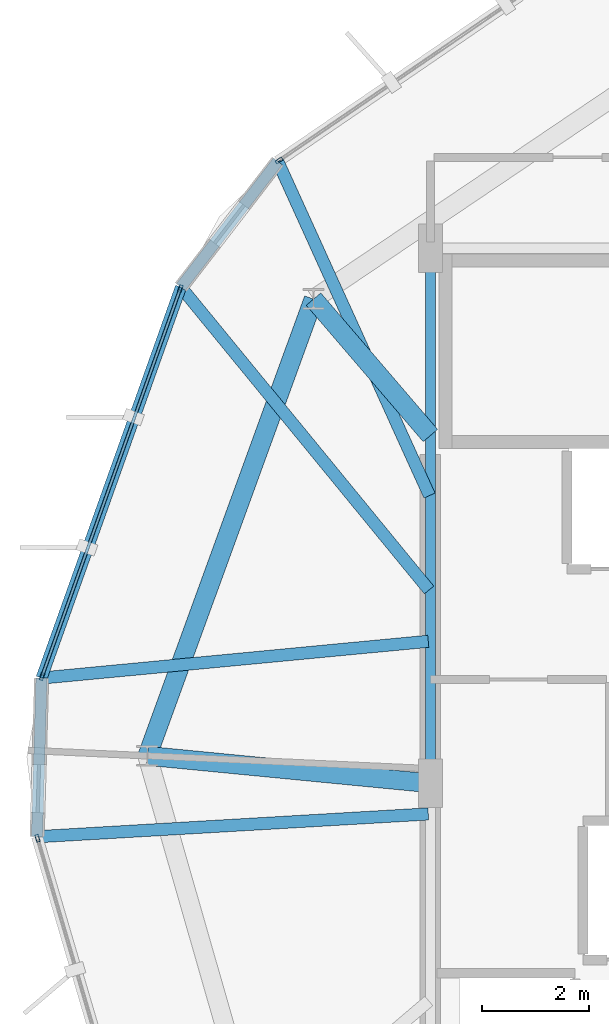
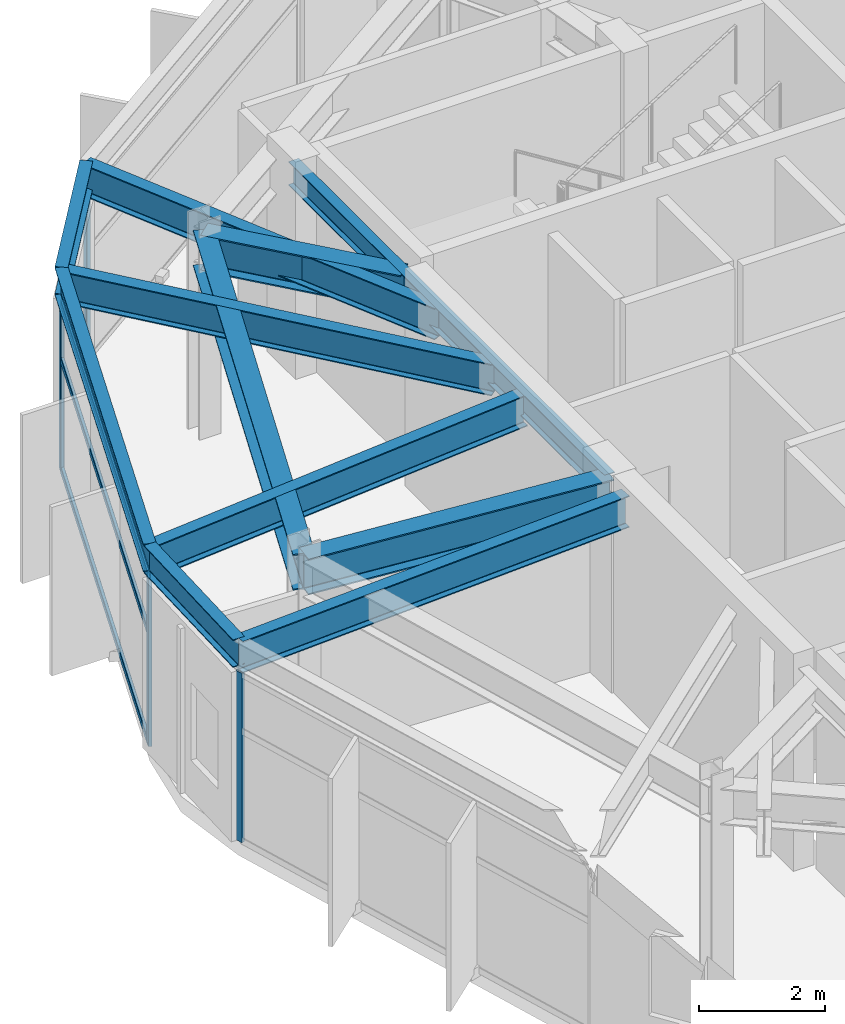
# One storey, part 9 of 20: 11 beams, 7 members, 3 elements without a shape of their own.
"""IFC4 building model written with IfcOpenShell, lengths in metres."""

from ifc_helpers import new_model, si_unit, direction, frame, origin, origin_2d, place, context, subcontext, project, spatial, hollow_rectangle, i_section, extrude, material, layer, layer_set, material_profile, profile_set, type_object, element, aggregate, save


model = new_model("IFC4")

# Units and contexts
model_context = context("Model", 3, precision=1e-05, world=origin(), true_north=direction((0.0, 1.0)))
body_context = subcontext(model_context, "Body", "Model", "MODEL_VIEW")
ifc_project = project(units=[si_unit("LENGTHUNIT", "METRE"), si_unit("AREAUNIT", "SQUARE_METRE"), si_unit("VOLUMEUNIT", "CUBIC_METRE"), si_unit("PLANEANGLEUNIT", "RADIAN"), si_unit("MASSUNIT", "GRAM", prefix="KILO")], contexts=[model_context])

# Site, building, storey
site_placement = place(None, origin())
site = spatial("IfcSite", under=ifc_project, at=site_placement, CompositionType="ELEMENT")
building_placement = place(site_placement, origin())
building = spatial("IfcBuilding", under=site, at=building_placement, Name="Soratama Intermodal Tower", CompositionType="ELEMENT")
storey_placement = place(building_placement, frame((0.0, 0.0, 293.050048828125)))
storey = spatial("IfcBuildingStorey", under=building, at=storey_placement, Name="L74", CompositionType="ELEMENT", Elevation=293.050048828125)

# Beams
ifc_material_1 = material(Name="Structural steel ASTM A992 Grade 50", Category="steel")
ifc_material_profile_1 = material_profile(ifc_material_1, i_section(OverallWidth=0.19091796875, OverallDepth=0.4599609375, WebThickness=0.010009765625, FlangeThickness=0.01611328125, FilletRadius=0.010986328125, at=origin_2d()), Name="W18X55")
ifc_profile_set_1 = profile_set([ifc_material_profile_1], Name="Structural steel ASTM A992 Grade 50")
beam_type_1 = type_object("IfcBeamType", Name="BM-FLR-W18X55", PredefinedType="BEAM", material=ifc_profile_set_1)
beam_1_placement = place(storey_placement, frame((32.60009765625, 35.0, 3.6650390625), z_axis=(0.0, -1.0, 0.0), x_axis=(1.0, 0.0, 0.0)))
element("IfcBeam", 1, at=beam_1_placement, inside=storey, type_object=beam_type_1, Name="BM-L74-CRING-08", PredefinedType="BEAM", context=body_context, shape_type="SweptSolid", body=[
    extrude(i_section(OverallWidth=0.19091796875, OverallDepth=0.4599609375, WebThickness=0.010009765625, FlangeThickness=0.01611328125, FilletRadius=0.010986328125, at=origin_2d()), origin(), (0.0, 0.0, 1.0), 10.0),
])
ifc_material_2 = material(Name="Structural steel ASTM A992 Grade 50", Category="steel")
ifc_material_profile_2 = material_profile(ifc_material_2, i_section(OverallWidth=0.35498046875, OverallDepth=0.695068359375, WebThickness=0.015380859375, FlangeThickness=0.02490234375, FilletRadius=0.01611328125, at=origin_2d()), Name="W27X146")
ifc_profile_set_2 = profile_set([ifc_material_profile_2], Name="Structural steel ASTM A992 Grade 50")
beam_type_2 = type_object("IfcBeamType", Name="BM-RING-W27X146", PredefinedType="BEAM", material=ifc_profile_set_2)
beam_2_placement = place(storey_placement, frame((30.416015625, 34.050048828125, 3.54736328125), z_axis=(-0.341989029925, -0.939703944555, 0.0), x_axis=(0.939703944555, -0.341989029925, 0.0)))
element("IfcBeam", 2, at=beam_2_placement, inside=storey, type_object=beam_type_2, Name="BM-L74-RING-04", PredefinedType="BEAM", context=body_context, shape_type="SweptSolid", body=[
    extrude(i_section(OverallWidth=0.35498046875, OverallDepth=0.695068359375, WebThickness=0.015380859375, FlangeThickness=0.02490234375, FilletRadius=0.01611328125, at=origin_2d()), origin(), (0.0, 0.0, 1.0), 9.0849609375),
])
beam_3_placement = place(storey_placement, frame((32.60009765625, 31.5, 3.54736328125), z_axis=(-0.650503890691, 0.759502921782, 0.0), x_axis=(-0.759502921782, -0.650503890691, 0.0)))
element("IfcBeam", 3, at=beam_3_placement, inside=storey, type_object=beam_type_2, Name="BM-L74-RAD-04", PredefinedType="BEAM", context=body_context, shape_type="SweptSolid", body=[
    extrude(i_section(OverallWidth=0.35498046875, OverallDepth=0.695068359375, WebThickness=0.015380859375, FlangeThickness=0.02490234375, FilletRadius=0.01611328125, at=origin_2d()), origin(), (0.0, 0.0, 1.0), 3.357421875),
])
beam_4_placement = place(storey_placement, frame((32.60009765625, 25.0, 3.54736328125), z_axis=(-0.995333664321, 0.096492987668, 0.0), x_axis=(-0.096492987668, -0.995333664321, 0.0)))
element("IfcBeam", 4, at=beam_4_placement, inside=storey, type_object=beam_type_2, Name="BM-L74-RAD-05", PredefinedType="BEAM", context=body_context, shape_type="SweptSolid", body=[
    extrude(i_section(OverallWidth=0.35498046875, OverallDepth=0.695068359375, WebThickness=0.015380859375, FlangeThickness=0.02490234375, FilletRadius=0.01611328125, at=origin_2d()), origin(), (0.0, 0.0, 1.0), 5.31591796875),
])
ifc_material_3 = material(Name="Structural steel ASTM A992 Grade 50", Category="steel")
ifc_material_profile_3 = material_profile(ifc_material_3, i_section(OverallWidth=0.2099609375, OverallDepth=0.537109375, WebThickness=0.010986328125, FlangeThickness=0.017333984375, FilletRadius=0.012939453125, at=origin_2d()), Name="W21X68")
ifc_profile_set_3 = profile_set([ifc_material_profile_3], Name="Structural steel ASTM A992 Grade 50")
beam_type_3 = type_object("IfcBeamType", Name="BM-SPN-W21X68", PredefinedType="SPANDREL", material=ifc_profile_set_3)
beam_5_placement = place(storey_placement, frame((29.7470703125, 36.6240234375, 3.62646484375), z_axis=(-0.610402470653, -0.792091423903, 0.0), x_axis=(0.792091423903, -0.610402470653, 0.0)))
element("IfcBeam", 5, at=beam_5_placement, inside=storey, type_object=beam_type_3, Name="BS-L74-CRN02", PredefinedType="SPANDREL", context=body_context, shape_type="SweptSolid", body=[
    extrude(i_section(OverallWidth=0.2099609375, OverallDepth=0.537109375, WebThickness=0.010986328125, FlangeThickness=0.017333984375, FilletRadius=0.012939453125, at=origin_2d()), origin(), (0.0, 0.0, 1.0), 2.967041015625),
])
beam_6_placement = place(storey_placement, frame((27.93603515625, 34.27392578125, 3.62646484375), z_axis=(-0.335808010424, -0.94193045398, 0.0), x_axis=(0.94193045398, -0.335808010424, 0.0)))
element("IfcBeam", 6, at=beam_6_placement, inside=storey, type_object=beam_type_3, Name="BS-L74-F03", PredefinedType="SPANDREL", context=body_context, shape_type="SweptSolid", body=[
    extrude(i_section(OverallWidth=0.2099609375, OverallDepth=0.537109375, WebThickness=0.010986328125, FlangeThickness=0.017333984375, FilletRadius=0.012939453125, at=origin_2d()), origin(), (0.0, 0.0, 1.0), 7.75732421875),
])
beam_7_placement = place(storey_placement, frame((25.3310546875, 26.967041015625, 3.62646484375), z_axis=(-0.028303743754, -0.999599368792, 0.0), x_axis=(0.999599368792, -0.028303743754, 0.0)))
element("IfcBeam", 7, at=beam_7_placement, inside=storey, type_object=beam_type_3, Name="BS-L74-CRN03", PredefinedType="SPANDREL", context=body_context, shape_type="SweptSolid", body=[
    extrude(i_section(OverallWidth=0.2099609375, OverallDepth=0.537109375, WebThickness=0.010986328125, FlangeThickness=0.017333984375, FilletRadius=0.012939453125, at=origin_2d()), origin(), (0.0, 0.0, 1.0), 2.96728515625),
])
ifc_material_4 = material(Name="Structural steel ASTM A992 Grade 50", Category="steel")
ifc_material_profile_4 = material_profile(ifc_material_4, i_section(OverallWidth=0.22900390625, OverallDepth=0.612060546875, WebThickness=0.011962890625, FlangeThickness=0.01953125, FilletRadius=0.012939453125, at=origin_2d()), Name="W24X84")
ifc_profile_set_4 = profile_set([ifc_material_profile_4], Name="Structural steel ASTM A992 Grade 50")
beam_type_4 = type_object("IfcBeamType", Name="BM-TIE-W24X84", PredefinedType="BEAM", material=ifc_profile_set_4)
beam_8_placement = place(storey_placement, frame((32.5830078125, 30.3779296875, 3.5888671875), z_axis=(-0.413416776839, 0.91054190932, 0.0), x_axis=(-0.91054190932, -0.413416776839, 0.0)))
element("IfcBeam", 8, at=beam_8_placement, inside=storey, type_object=beam_type_4, Name="BM-L74-TIE1-02", PredefinedType="BEAM", context=body_context, shape_type="SweptSolid", body=[
    extrude(i_section(OverallWidth=0.22900390625, OverallDepth=0.612060546875, WebThickness=0.011962890625, FlangeThickness=0.01953125, FilletRadius=0.012939453125, at=origin_2d()), origin(), (0.0, 0.0, 1.0), 6.85986328125),
])
beam_9_placement = place(storey_placement, frame((32.574951171875, 28.613037109375, 3.5888671875), z_axis=(-0.633833420913, 0.773469582165, 0.0), x_axis=(-0.773469582165, -0.633833420913, 0.0)))
element("IfcBeam", 9, at=beam_9_placement, inside=storey, type_object=beam_type_4, Name="BM-L74-TIE0-03", PredefinedType="BEAM", context=body_context, shape_type="SweptSolid", body=[
    extrude(i_section(OverallWidth=0.22900390625, OverallDepth=0.612060546875, WebThickness=0.011962890625, FlangeThickness=0.01953125, FilletRadius=0.012939453125, at=origin_2d()), origin(), (0.0, 0.0, 1.0), 7.31884765625),
])
beam_10_placement = place(storey_placement, frame((32.56005859375, 27.654052734375, 3.5888671875), z_axis=(-0.995514491766, -0.09460917865, 0.0), x_axis=(0.09460917865, -0.995514491766, 0.0)))
element("IfcBeam", 10, at=beam_10_placement, inside=storey, type_object=beam_type_4, Name="BM-L74-TIE1-03", PredefinedType="BEAM", context=body_context, shape_type="SweptSolid", body=[
    extrude(i_section(OverallWidth=0.22900390625, OverallDepth=0.612060546875, WebThickness=0.011962890625, FlangeThickness=0.01953125, FilletRadius=0.012939453125, at=origin_2d()), origin(), (0.0, 0.0, 1.0), 7.261474609375),
])
beam_11_placement = place(storey_placement, frame((32.56005859375, 24.427001953125, 3.5888671875), z_axis=(-0.998307426593, -0.058157389978, 0.0), x_axis=(0.058157389978, -0.998307426593, 0.0)))
element("IfcBeam", 11, at=beam_11_placement, inside=storey, type_object=beam_type_4, Name="BM-L74-TIE0-04", PredefinedType="BEAM", context=body_context, shape_type="SweptSolid", body=[
    extrude(i_section(OverallWidth=0.22900390625, OverallDepth=0.612060546875, WebThickness=0.011962890625, FlangeThickness=0.01953125, FilletRadius=0.012939453125, at=origin_2d()), origin(), (0.0, 0.0, 1.0), 7.325439453125),
])

# Curtain wall, member
ifc_material_5 = material(Name="Double-glazed aluminium curtain wall", Category="aluminium")
ifc_layer = layer(ifc_material_5, 0.159912109375)
ifc_layer_set = layer_set([ifc_layer], Name="Double-glazed aluminium curtain wall")
curtain_wall_type = type_object("IfcCurtainWallType", Name="CW-SYS-6", PredefinedType="NOTDEFINED", material=ifc_layer_set)
curtain_wall_1_placement = place(storey_placement, origin())
curtain_wall_1 = element("IfcCurtainWall", 12, at=curtain_wall_1_placement, inside=storey, type_object=curtain_wall_type, Name="L74 Faceted Curtain Wall F02", PredefinedType="NOTDEFINED")
ifc_material_6 = material(Name="Anodised aluminium AA 6063-T6", Category="aluminium")
ifc_material_profile_5 = material_profile(ifc_material_6, hollow_rectangle(XDim=0.06494140625, YDim=0.139892578125, WallThickness=0.0048828125, InnerFilletRadius=0.0048828125, OuterFilletRadius=0.010009765625, at=origin_2d()), Name="CWM140X65X5")
ifc_profile_set_5 = profile_set([ifc_material_profile_5], Name="Anodised aluminium AA 6063-T6")
member_type_1 = type_object("IfcMemberType", Name="MT-CWM-6", PredefinedType="MULLION", material=ifc_profile_set_5)
member_1_placement = place(storey_placement, frame((29.771240234375, 36.64111328125, 0.0), z_axis=(0.0, 0.0, 1.0), x_axis=(0.564681143103, -0.825309158209, 0.0)))
member_1 = element("IfcMember", 13, at=member_1_placement, type_object=member_type_1, Name="CW-6 mullion 2", PredefinedType="MULLION", context=body_context, shape_type="SweptSolid", body=[
    extrude(hollow_rectangle(XDim=0.06494140625, YDim=0.139892578125, WallThickness=0.0048828125, InnerFilletRadius=0.0048828125, OuterFilletRadius=0.010009765625, at=origin_2d()), origin(), (0.0, 0.0, 1.0), 3.27392578125),
])
aggregate(curtain_wall_1, [member_1])

# Curtain wall, members
curtain_wall_2_placement = place(storey_placement, origin())
curtain_wall_2 = element("IfcCurtainWall", 14, at=curtain_wall_2_placement, inside=storey, type_object=curtain_wall_type, Name="L74 Faceted Curtain Wall F03", PredefinedType="NOTDEFINED")
member_2_placement = place(storey_placement, frame((27.92578125, 34.24609375, 0.0), z_axis=(0.0, 0.0, 1.0), x_axis=(0.941938883362, -0.335784365344, 0.0)))
member_2 = element("IfcMember", 15, at=member_2_placement, type_object=member_type_1, Name="CW-6 mullion 1", PredefinedType="MULLION", context=body_context, shape_type="SweptSolid", body=[
    extrude(hollow_rectangle(XDim=0.06494140625, YDim=0.139892578125, WallThickness=0.0048828125, InnerFilletRadius=0.0048828125, OuterFilletRadius=0.010009765625, at=origin_2d()), origin(), (0.0, 0.0, 1.0), 3.27392578125),
])
member_3_placement = place(storey_placement, frame((25.3408203125, 26.994873046875, 0.0), z_axis=(0.0, 0.0, 1.0), x_axis=(0.941938883362, -0.335784365344, 0.0)))
member_3 = element("IfcMember", 16, at=member_3_placement, type_object=member_type_1, Name="CW-6 mullion 2", PredefinedType="MULLION", context=body_context, shape_type="SweptSolid", body=[
    extrude(hollow_rectangle(XDim=0.06494140625, YDim=0.139892578125, WallThickness=0.0048828125, InnerFilletRadius=0.0048828125, OuterFilletRadius=0.010009765625, at=origin_2d()), origin(), (0.0, 0.0, 1.0), 3.27392578125),
])

# Curtain wall, member
curtain_wall_3_placement = place(storey_placement, origin())
curtain_wall_3 = element("IfcCurtainWall", 17, at=curtain_wall_3_placement, inside=storey, type_object=curtain_wall_type, Name="L74 Faceted Curtain Wall F04", PredefinedType="NOTDEFINED")
member_4_placement = place(storey_placement, frame((25.25537109375, 23.972412109375, 0.0), z_axis=(0.0, 0.0, 1.0), x_axis=(0.95941351654, 0.282003021758, 0.0)))
member_4 = element("IfcMember", 18, at=member_4_placement, type_object=member_type_1, Name="CW-6 mullion 1", PredefinedType="MULLION", context=body_context, shape_type="SweptSolid", body=[
    extrude(hollow_rectangle(XDim=0.06494140625, YDim=0.139892578125, WallThickness=0.0048828125, InnerFilletRadius=0.0048828125, OuterFilletRadius=0.010009765625, at=origin_2d()), origin(), (0.0, 0.0, 1.0), 3.27392578125),
])
aggregate(curtain_wall_3, [member_4])

# Member
ifc_material_7 = material(Name="Anodised aluminium AA 6063-T6", Category="aluminium")
ifc_material_profile_6 = material_profile(ifc_material_7, hollow_rectangle(XDim=0.06005859375, YDim=0.1298828125, WallThickness=0.0048828125, InnerFilletRadius=0.0048828125, OuterFilletRadius=0.010009765625, at=origin_2d()), Name="CWT130X60X5")
ifc_profile_set_6 = profile_set([ifc_material_profile_6], Name="Anodised aluminium AA 6063-T6")
member_type_2 = type_object("IfcMemberType", Name="TT-CWT-2", PredefinedType="USERDEFINED", material=ifc_profile_set_6)
member_5_placement = place(storey_placement, frame((27.915771484375, 34.2177734375, 0.030029296875), z_axis=(-0.335807862607, -0.941930506678, 0.0), x_axis=(0.941930506678, -0.335807862607, 0.0)))
member_5 = element("IfcMember", 19, at=member_5_placement, type_object=member_type_2, Name="CW-6 transom 1.1", ObjectType="TRANSOM", PredefinedType="USERDEFINED", context=body_context, shape_type="SweptSolid", body=[
    extrude(hollow_rectangle(XDim=0.06005859375, YDim=0.1298828125, WallThickness=0.0048828125, InnerFilletRadius=0.0048828125, OuterFilletRadius=0.010009765625, at=origin_2d()), origin(), (0.0, 0.0, 1.0), 7.63818359375),
])

member_6_placement = place(storey_placement, frame((27.915771484375, 34.2177734375, 2.14990234375), z_axis=(-0.335807862607, -0.941930506678, 0.0), x_axis=(0.941930506678, -0.335807862607, 0.0)))
member_6 = element("IfcMember", 20, at=member_6_placement, type_object=member_type_2, Name="CW-6 transom 1.2", ObjectType="TRANSOM", PredefinedType="USERDEFINED", context=body_context, shape_type="SweptSolid", body=[
    extrude(hollow_rectangle(XDim=0.06005859375, YDim=0.1298828125, WallThickness=0.0048828125, InnerFilletRadius=0.0048828125, OuterFilletRadius=0.010009765625, at=origin_2d()), origin(), (0.0, 0.0, 1.0), 7.63818359375),
])

member_7_placement = place(storey_placement, frame((27.915771484375, 34.2177734375, 3.243896484375), z_axis=(-0.335807862607, -0.941930506678, 0.0), x_axis=(0.941930506678, -0.335807862607, 0.0)))
member_7 = element("IfcMember", 21, at=member_7_placement, type_object=member_type_2, Name="CW-6 transom 1.3", ObjectType="TRANSOM", PredefinedType="USERDEFINED", context=body_context, shape_type="SweptSolid", body=[
    extrude(hollow_rectangle(XDim=0.06005859375, YDim=0.1298828125, WallThickness=0.0048828125, InnerFilletRadius=0.0048828125, OuterFilletRadius=0.010009765625, at=origin_2d()), origin(), (0.0, 0.0, 1.0), 7.63818359375),
])

aggregate(curtain_wall_2, [member_2, member_3, member_5, member_6, member_7])

save(model, "model.ifc")
